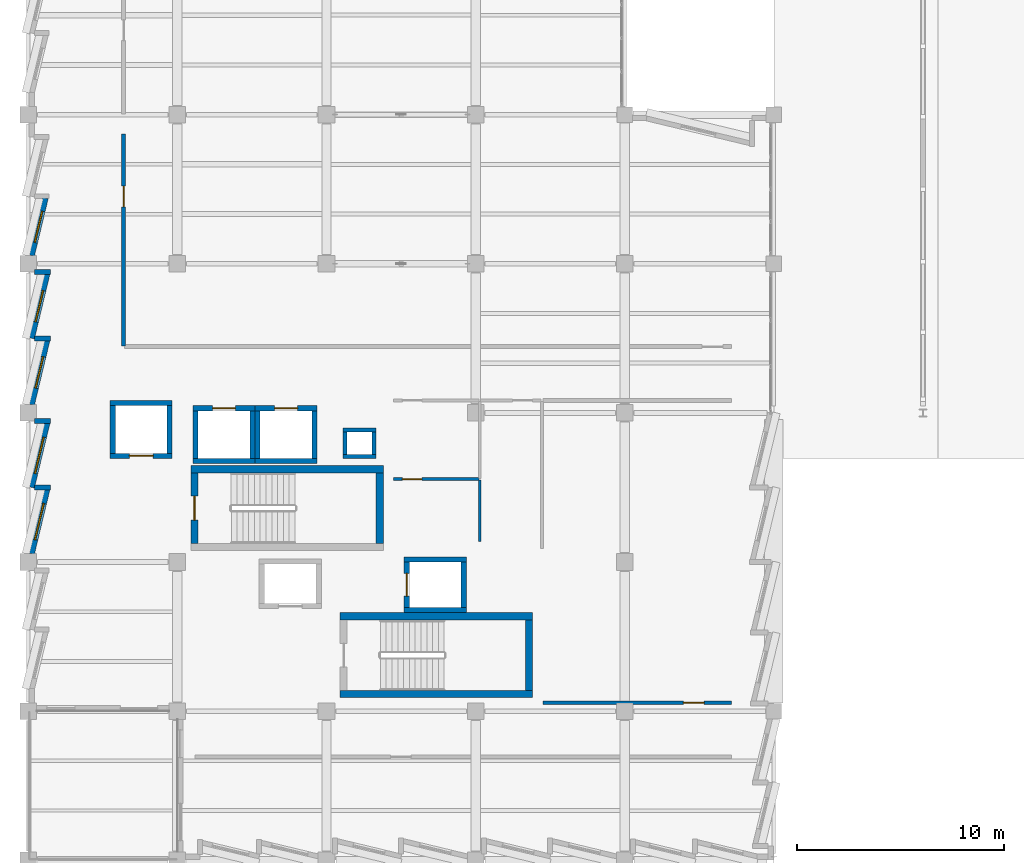
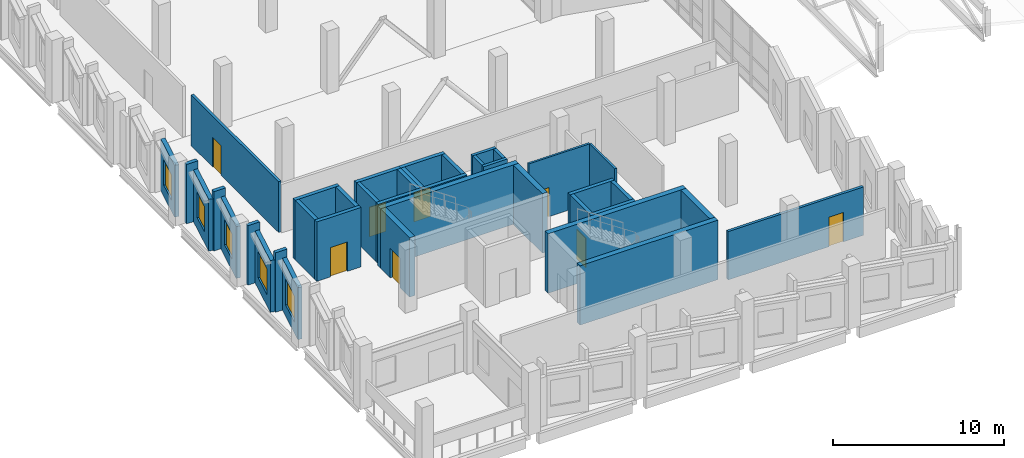
# One storey, part 89 of 123: 39 walls, 8 doors, 5 windows, 13 openings.
"""IFC4 building model written with IfcOpenShell, lengths in metres."""

from ifc_helpers import new_model, si_unit, direction, frame, frame_2d, origin, place, context, subcontext, project, spatial, rectangle, extrude, material, layer, layer_set, type_object, element, fill, save


model = new_model("IFC4")

# Units and contexts
model_context = context("Model", 3, precision=1e-05, world=origin(), true_north=direction((0.0, 1.0)))
body_context = subcontext(model_context, "Body", "Model", "MODEL_VIEW")
ifc_project = project(units=[si_unit("LENGTHUNIT", "METRE"), si_unit("AREAUNIT", "SQUARE_METRE"), si_unit("VOLUMEUNIT", "CUBIC_METRE"), si_unit("PLANEANGLEUNIT", "RADIAN"), si_unit("MASSUNIT", "GRAM", prefix="KILO")], contexts=[model_context])

# Site, building, storey
site_placement = place(None, origin())
site = spatial("IfcSite", under=ifc_project, at=site_placement, CompositionType="ELEMENT")
building_placement = place(site_placement, origin())
building = spatial("IfcBuilding", under=site, at=building_placement, Name="Kalmorath City Hall", CompositionType="ELEMENT")
storey_placement = place(building_placement, frame((0.0, 0.0, 10.199951171875)))
storey = spatial("IfcBuildingStorey", under=building, at=storey_placement, Name="L02", CompositionType="ELEMENT", Elevation=10.199951171875)

# Wall
ifc_material_1 = material(Name="Concrete C50/60", Category="concrete")
ifc_layer_1 = layer(ifc_material_1, 0.35009765625)
ifc_layer_set_1 = layer_set([ifc_layer_1], Name="Concrete C50/60")
wall_type_1 = type_object("IfcWallType", Name="Concrete core shear wall 350", PredefinedType="SHEAR", material=ifc_layer_set_1)
wall_1_placement = place(storey_placement, frame((17.14990234375, 18.875, 0.0), z_axis=(0.0, 0.0, 1.0), x_axis=(-1.0, 0.0, 0.0)))
element("IfcWall", 1, at=wall_1_placement, inside=storey, type_object=wall_type_1, Name="L02 C1 stair core shear wall N", PredefinedType="SHEAR", context=body_context, shape_type="SweptSolid", body=[
    extrude(rectangle(XDim=9.2998046875, YDim=0.35009765625, at=frame_2d((4.64990234375, 0.0))), origin(), (0.0, 0.0, 1.0), 4.239990234375),
])

# Wall, opening, door
wall_2_placement = place(storey_placement, frame((8.02490234375, 18.699951171875, 0.0), z_axis=(0.0, 0.0, 1.0), x_axis=(0.0, -1.0, 0.0)))
wall_2 = element("IfcWall", 2, at=wall_2_placement, inside=storey, type_object=wall_type_1, Name="L02 C1 stair core shear wall W", PredefinedType="SHEAR", context=body_context, shape_type="SweptSolid", body=[
    extrude(rectangle(XDim=3.39990234375, YDim=0.35009765625, at=frame_2d((1.699951171875, 0.0))), origin(), (0.0, 0.0, 1.0), 4.239990234375),
])
opening_1_placement = place(wall_2_placement, frame((1.125, 0.0, 0.0)))
opening_1 = element("IfcOpeningElement", 3, at=opening_1_placement, cuts=wall_2, Name="Opening D-L02-004", PredefinedType="OPENING", context=body_context, shape_type="SweptSolid", body=[
    extrude(rectangle(XDim=1.14990234375, YDim=2.10009765625, at=frame_2d((0.574951171875, 1.050048828125))), frame((0.0, 0.18505859375, 0.0), z_axis=(0.0, -1.0, 0.0), x_axis=(1.0, 0.0, 0.0)), (0.0, 0.0, 1.0), 0.3701171875),
])
ifc_material_2 = material(Name="Galvanised steel fire door", Category="steel")
door_type_1 = type_object("IfcDoorType", Name="Stair enclosure 90-min fire door 1150x2100", OperationType="NOTDEFINED", PredefinedType="DOOR", material=ifc_material_2)
door_1_placement = place(opening_1_placement, frame((1.14990234375, 0.0, 0.0), z_axis=(0.0, 0.0, 1.0), x_axis=(-1.0, 0.0, 0.0)))
door_1 = element("IfcDoor", 4, at=door_1_placement, inside=storey, type_object=door_type_1, Name="L02 door D-L02-004", OperationType="SINGLE_SWING_RIGHT", OverallHeight=2.10009765625, OverallWidth=1.14990234375, PredefinedType="DOOR", context=body_context, shape_type="SweptSolid", body=[
    extrude(rectangle(XDim=1.14990234375, YDim=2.10009765625, at=frame_2d((0.574951171875, 1.050048828125))), frame((0.0, 0.02490234375, 0.0), z_axis=(0.0, -1.0, 0.0), x_axis=(1.0, 0.0, 0.0)), (0.0, 0.0, 1.0), 0.050048828125),
])
fill(opening_1, door_1)

# Walls
wall_3_placement = place(storey_placement, frame((16.97509765625, 15.300048828125, 0.0), z_axis=(0.0, 0.0, 1.0), x_axis=(0.0, 1.0, 0.0)))
element("IfcWall", 5, at=wall_3_placement, inside=storey, type_object=wall_type_1, Name="L02 C1 stair core shear wall E", PredefinedType="SHEAR", context=body_context, shape_type="SweptSolid", body=[
    extrude(rectangle(XDim=3.39990234375, YDim=0.35009765625, at=frame_2d((1.699951171875, 0.0))), origin(), (0.0, 0.0, 1.0), 4.239990234375),
])
for number, where, z_axis, x_axis, name in (
    (6, (15.050048828125, 8.02490234375, 0.0), (0.0, 0.0, 1.0), (1.0, 0.0, 0.0), "L02 C2 stair core shear wall S"),
    (7, (24.35009765625, 11.77490234375, 0.0), (0.0, 0.0, 1.0), (-1.0, 0.0, 0.0), "L02 C2 stair core shear wall N"),
):
    element("IfcWall", number, at=place(storey_placement, frame(where, z_axis=z_axis, x_axis=x_axis)), inside=storey, type_object=wall_type_1, Name=name, PredefinedType="SHEAR", context=body_context, shape_type="SweptSolid", body=[
        extrude(rectangle(XDim=9.300048828125, YDim=0.35009765625, at=frame_2d((4.64990234375, 0.0))), origin(), (0.0, 0.0, 1.0), 4.239990234375),
    ])
wall_4_placement = place(storey_placement, frame((24.175048828125, 8.199951171875, 0.0), z_axis=(0.0, 0.0, 1.0), x_axis=(0.0, 1.0, 0.0)))
element("IfcWall", 8, at=wall_4_placement, inside=storey, type_object=wall_type_1, Name="L02 C2 stair core shear wall E", PredefinedType="SHEAR", context=body_context, shape_type="SweptSolid", body=[
    extrude(rectangle(XDim=3.400146484375, YDim=0.35009765625, at=frame_2d((1.7001953125, 0.0))), origin(), (0.0, 0.0, 1.0), 4.239990234375),
])

# Wall, opening, door
ifc_material_3 = material(Name="Concrete C50/60", Category="concrete")
ifc_layer_2 = layer(ifc_material_3, 0.25)
ifc_layer_set_2 = layer_set([ifc_layer_2], Name="Concrete C50/60")
wall_type_2 = type_object("IfcWallType", Name="Concrete lift shaft wall 250", PredefinedType="SHEAR", material=ifc_layer_set_2)
wall_5_placement = place(storey_placement, frame((3.949951171875, 19.52490234375, 0.0), z_axis=(0.0, 0.0, 1.0), x_axis=(1.0, 0.0, 0.0)))
wall_5 = element("IfcWall", 9, at=wall_5_placement, inside=storey, type_object=wall_type_2, Name="L02 FL1 lift shaft wall -y", PredefinedType="SHEAR", context=body_context, shape_type="SweptSolid", body=[
    extrude(rectangle(XDim=3.0, YDim=0.25, at=frame_2d((1.5, 0.0))), origin(), (0.0, 0.0, 1.0), 4.239990234375),
])
opening_2_placement = place(wall_5_placement, frame((0.925048828125, 0.0, 0.0)))
opening_2 = element("IfcOpeningElement", 10, at=opening_2_placement, cuts=wall_5, Name="Opening LD-013", PredefinedType="OPENING", context=body_context, shape_type="SweptSolid", body=[
    extrude(rectangle(XDim=1.14990234375, YDim=2.10009765625, at=frame_2d((0.574951171875, 1.050048828125))), frame((0.0, 0.135009765625, 0.0), z_axis=(0.0, -1.0, 0.0), x_axis=(1.0, 0.0, 0.0)), (0.0, 0.0, 1.0), 0.27001953125),
])
ifc_material_4 = material(Name="Stainless steel sliding landing door", Category="steel")
door_type_2 = type_object("IfcDoorType", Name="Firefighting lift sliding landing door 1150x2100", OperationType="SLIDING_TO_RIGHT", PredefinedType="DOOR", material=ifc_material_4)
door_2_placement = place(opening_2_placement, origin())
door_2 = element("IfcDoor", 11, at=door_2_placement, inside=storey, type_object=door_type_2, Name="L02 door LD-013", OperationType="SLIDING_TO_RIGHT", OverallHeight=2.10009765625, OverallWidth=1.14990234375, PredefinedType="DOOR", context=body_context, shape_type="SweptSolid", body=[
    extrude(rectangle(XDim=1.14990234375, YDim=2.10009765625, at=frame_2d((0.574951171875, 1.050048828125))), frame((0.0, 0.02490234375, 0.0), z_axis=(0.0, -1.0, 0.0), x_axis=(1.0, 0.0, 0.0)), (0.0, 0.0, 1.0), 0.050048828125),
])
fill(opening_2, door_2)

# Walls
wall_6_placement = place(storey_placement, frame((6.949951171875, 22.074951171875, 0.0), z_axis=(0.0, 0.0, 1.0), x_axis=(-1.0, 0.0, 0.0)))
element("IfcWall", 12, at=wall_6_placement, inside=storey, type_object=wall_type_2, Name="L02 FL1 lift shaft wall +y", PredefinedType="SHEAR", context=body_context, shape_type="SweptSolid", body=[
    extrude(rectangle(XDim=3.0, YDim=0.25, at=frame_2d((1.5, 0.0))), origin(), (0.0, 0.0, 1.0), 4.239990234375),
])
for number, where, z_axis, x_axis, name in (
    (13, (4.074951171875, 21.949951171875, 0.0), (0.0, 0.0, 1.0), (0.0, -1.0, 0.0), "L02 FL1 lift shaft wall -x"),
    (14, (6.824951171875, 19.64990234375, 0.0), (0.0, 0.0, 1.0), (0.0, 1.0, 0.0), "L02 FL1 lift shaft wall +x"),
):
    element("IfcWall", number, at=place(storey_placement, frame(where, z_axis=z_axis, x_axis=x_axis)), inside=storey, type_object=wall_type_2, Name=name, PredefinedType="SHEAR", context=body_context, shape_type="SweptSolid", body=[
        extrude(rectangle(XDim=2.300048828125, YDim=0.25, at=frame_2d((1.14990234375, 0.0))), origin(), (0.0, 0.0, 1.0), 4.239990234375),
    ])
wall_7_placement = place(storey_placement, frame((7.949951171875, 19.27490234375, 0.0), z_axis=(0.0, 0.0, 1.0), x_axis=(1.0, 0.0, 0.0)))
element("IfcWall", 15, at=wall_7_placement, inside=storey, type_object=wall_type_2, Name="L02 PL1 lift shaft wall -y", PredefinedType="SHEAR", context=body_context, shape_type="SweptSolid", body=[
    extrude(rectangle(XDim=3.0, YDim=0.25, at=frame_2d((1.5, 0.0))), origin(), (0.0, 0.0, 1.0), 4.239990234375),
])

# Wall, opening, door
wall_8_placement = place(storey_placement, frame((10.949951171875, 21.824951171875, 0.0), z_axis=(0.0, 0.0, 1.0), x_axis=(-1.0, 0.0, 0.0)))
wall_8 = element("IfcWall", 16, at=wall_8_placement, inside=storey, type_object=wall_type_2, Name="L02 PL1 lift shaft wall +y", PredefinedType="SHEAR", context=body_context, shape_type="SweptSolid", body=[
    extrude(rectangle(XDim=3.0, YDim=0.25, at=frame_2d((1.5, 0.0))), origin(), (0.0, 0.0, 1.0), 4.239990234375),
])
opening_3_placement = place(wall_8_placement, frame((0.949951171875, 0.0, 0.0)))
opening_3 = element("IfcOpeningElement", 17, at=opening_3_placement, cuts=wall_8, Name="Opening LD-022", PredefinedType="OPENING", context=body_context, shape_type="SweptSolid", body=[
    extrude(rectangle(XDim=1.10009765625, YDim=2.10009765625, at=frame_2d((0.550048828125, 1.050048828125))), frame((0.0, 0.135009765625, 0.0), z_axis=(0.0, -1.0, 0.0), x_axis=(1.0, 0.0, 0.0)), (0.0, 0.0, 1.0), 0.27001953125),
])
ifc_material_5 = material(Name="Stainless steel sliding landing door", Category="steel")
door_type_3 = type_object("IfcDoorType", Name="Passenger lift sliding landing door 1100x2100", OperationType="SLIDING_TO_LEFT", PredefinedType="DOOR", material=ifc_material_5)
door_3_placement = place(opening_3_placement, origin())
door_3 = element("IfcDoor", 18, at=door_3_placement, inside=storey, type_object=door_type_3, Name="L02 door LD-022", OperationType="SLIDING_TO_LEFT", OverallHeight=2.10009765625, OverallWidth=1.10009765625, PredefinedType="DOOR", context=body_context, shape_type="SweptSolid", body=[
    extrude(rectangle(XDim=1.10009765625, YDim=2.10009765625, at=frame_2d((0.550048828125, 1.050048828125))), frame((0.0, 0.02490234375, 0.0), z_axis=(0.0, -1.0, 0.0), x_axis=(1.0, 0.0, 0.0)), (0.0, 0.0, 1.0), 0.050048828125),
])
fill(opening_3, door_3)

# Walls
for number, where, z_axis, x_axis, name in (
    (19, (8.074951171875, 21.699951171875, 0.0), (0.0, 0.0, 1.0), (0.0, -1.0, 0.0), "L02 PL1 lift shaft wall -x"),
    (20, (10.824951171875, 19.39990234375, 0.0), (0.0, 0.0, 1.0), (0.0, 1.0, 0.0), "L02 PL1 lift shaft wall +x"),
):
    element("IfcWall", number, at=place(storey_placement, frame(where, z_axis=z_axis, x_axis=x_axis)), inside=storey, type_object=wall_type_2, Name=name, PredefinedType="SHEAR", context=body_context, shape_type="SweptSolid", body=[
        extrude(rectangle(XDim=2.300048828125, YDim=0.25, at=frame_2d((1.14990234375, 0.0))), origin(), (0.0, 0.0, 1.0), 4.239990234375),
    ])
wall_9_placement = place(storey_placement, frame((10.949951171875, 19.27490234375, 0.0), z_axis=(0.0, 0.0, 1.0), x_axis=(1.0, 0.0, 0.0)))
element("IfcWall", 21, at=wall_9_placement, inside=storey, type_object=wall_type_2, Name="L02 PL2 lift shaft wall -y", PredefinedType="SHEAR", context=body_context, shape_type="SweptSolid", body=[
    extrude(rectangle(XDim=3.0, YDim=0.25, at=frame_2d((1.5, 0.0))), origin(), (0.0, 0.0, 1.0), 4.239990234375),
])

# Wall, opening, door
wall_10_placement = place(storey_placement, frame((13.949951171875, 21.824951171875, 0.0), z_axis=(0.0, 0.0, 1.0), x_axis=(-1.0, 0.0, 0.0)))
wall_10 = element("IfcWall", 22, at=wall_10_placement, inside=storey, type_object=wall_type_2, Name="L02 PL2 lift shaft wall +y", PredefinedType="SHEAR", context=body_context, shape_type="SweptSolid", body=[
    extrude(rectangle(XDim=3.0, YDim=0.25, at=frame_2d((1.5, 0.0))), origin(), (0.0, 0.0, 1.0), 4.239990234375),
])
opening_4_placement = place(wall_10_placement, frame((0.949951171875, 0.0, 0.0)))
opening_4 = element("IfcOpeningElement", 23, at=opening_4_placement, cuts=wall_10, Name="Opening LD-031", PredefinedType="OPENING", context=body_context, shape_type="SweptSolid", body=[
    extrude(rectangle(XDim=1.10009765625, YDim=2.10009765625, at=frame_2d((0.550048828125, 1.050048828125))), frame((0.0, 0.135009765625, 0.0), z_axis=(0.0, -1.0, 0.0), x_axis=(1.0, 0.0, 0.0)), (0.0, 0.0, 1.0), 0.27001953125),
])
door_4_placement = place(opening_4_placement, origin())
door_4 = element("IfcDoor", 24, at=door_4_placement, inside=storey, type_object=door_type_3, Name="L02 door LD-031", OperationType="SLIDING_TO_LEFT", OverallHeight=2.10009765625, OverallWidth=1.10009765625, PredefinedType="DOOR", context=body_context, shape_type="SweptSolid", body=[
    extrude(rectangle(XDim=1.10009765625, YDim=2.10009765625, at=frame_2d((0.550048828125, 1.050048828125))), frame((0.0, 0.02490234375, 0.0), z_axis=(0.0, -1.0, 0.0), x_axis=(1.0, 0.0, 0.0)), (0.0, 0.0, 1.0), 0.050048828125),
])
fill(opening_4, door_4)

# Walls
for number, where, z_axis, x_axis, name in (
    (25, (11.074951171875, 21.699951171875, 0.0), (0.0, 0.0, 1.0), (0.0, -1.0, 0.0), "L02 PL2 lift shaft wall -x"),
    (26, (13.824951171875, 19.39990234375, 0.0), (0.0, 0.0, 1.0), (0.0, 1.0, 0.0), "L02 PL2 lift shaft wall +x"),
):
    element("IfcWall", number, at=place(storey_placement, frame(where, z_axis=z_axis, x_axis=x_axis)), inside=storey, type_object=wall_type_2, Name=name, PredefinedType="SHEAR", context=body_context, shape_type="SweptSolid", body=[
        extrude(rectangle(XDim=2.300048828125, YDim=0.25, at=frame_2d((1.14990234375, 0.0))), origin(), (0.0, 0.0, 1.0), 4.239990234375),
    ])
for number, where, z_axis, x_axis, name in (
    (27, (18.14990234375, 12.074951171875, 0.0), (0.0, 0.0, 1.0), (1.0, 0.0, 0.0), "L02 PL3 lift shaft wall -y"),
    (28, (21.14990234375, 14.52490234375, 0.0), (0.0, 0.0, 1.0), (-1.0, 0.0, 0.0), "L02 PL3 lift shaft wall +y"),
):
    element("IfcWall", number, at=place(storey_placement, frame(where, z_axis=z_axis, x_axis=x_axis)), inside=storey, type_object=wall_type_2, Name=name, PredefinedType="SHEAR", context=body_context, shape_type="SweptSolid", body=[
        extrude(rectangle(XDim=3.0, YDim=0.25, at=frame_2d((1.5, 0.0))), origin(), (0.0, 0.0, 1.0), 4.239990234375),
    ])

# Wall, opening, door
wall_11_placement = place(storey_placement, frame((18.27490234375, 14.39990234375, 0.0), z_axis=(0.0, 0.0, 1.0), x_axis=(0.0, -1.0, 0.0)))
wall_11 = element("IfcWall", 29, at=wall_11_placement, inside=storey, type_object=wall_type_2, Name="L02 PL3 lift shaft wall -x", PredefinedType="SHEAR", context=body_context, shape_type="SweptSolid", body=[
    extrude(rectangle(XDim=2.199951171875, YDim=0.25, at=frame_2d((1.10009765625, 0.0))), origin(), (0.0, 0.0, 1.0), 4.239990234375),
])
opening_5_placement = place(wall_11_placement, frame((0.550048828125, 0.0, 0.0)))
opening_5 = element("IfcOpeningElement", 30, at=opening_5_placement, cuts=wall_11, Name="Opening LD-058", PredefinedType="OPENING", context=body_context, shape_type="SweptSolid", body=[
    extrude(rectangle(XDim=1.10009765625, YDim=2.10009765625, at=frame_2d((0.550048828125, 1.050048828125))), frame((0.0, 0.135009765625, 0.0), z_axis=(0.0, -1.0, 0.0), x_axis=(1.0, 0.0, 0.0)), (0.0, 0.0, 1.0), 0.27001953125),
])
door_5_placement = place(opening_5_placement, origin())
door_5 = element("IfcDoor", 31, at=door_5_placement, inside=storey, type_object=door_type_3, Name="L02 door LD-058", OperationType="SLIDING_TO_LEFT", OverallHeight=2.10009765625, OverallWidth=1.10009765625, PredefinedType="DOOR", context=body_context, shape_type="SweptSolid", body=[
    extrude(rectangle(XDim=1.10009765625, YDim=2.10009765625, at=frame_2d((0.550048828125, 1.050048828125))), frame((0.0, 0.02490234375, 0.0), z_axis=(0.0, -1.0, 0.0), x_axis=(1.0, 0.0, 0.0)), (0.0, 0.0, 1.0), 0.050048828125),
])
fill(opening_5, door_5)

# Walls
wall_12_placement = place(storey_placement, frame((21.02490234375, 12.199951171875, 0.0), z_axis=(0.0, 0.0, 1.0), x_axis=(0.0, 1.0, 0.0)))
element("IfcWall", 32, at=wall_12_placement, inside=storey, type_object=wall_type_2, Name="L02 PL3 lift shaft wall +x", PredefinedType="SHEAR", context=body_context, shape_type="SweptSolid", body=[
    extrude(rectangle(XDim=2.199951171875, YDim=0.25, at=frame_2d((1.10009765625, 0.0))), origin(), (0.0, 0.0, 1.0), 4.239990234375),
])
ifc_material_6 = material(Name="Concrete C40/50", Category="concrete")
ifc_layer_3 = layer(ifc_material_6, 0.199951171875)
ifc_layer_set_3 = layer_set([ifc_layer_3], Name="Concrete C40/50")
wall_type_3 = type_object("IfcWallType", Name="Concrete service riser wall 200", PredefinedType="SOLIDWALL", material=ifc_layer_set_3)
for number, where, z_axis, x_axis, name in (
    (33, (15.199951171875, 19.5, 0.0), (0.0, 0.0, 1.0), (1.0, 0.0, 0.0), "L02 RSR-1 riser shaft wall S"),
    (34, (16.800048828125, 20.780029296875, 0.0), (0.0, 0.0, 1.0), (-1.0, 0.0, 0.0), "L02 RSR-1 riser shaft wall N"),
):
    element("IfcWall", number, at=place(storey_placement, frame(where, z_axis=z_axis, x_axis=x_axis)), inside=storey, type_object=wall_type_3, Name=name, PredefinedType="SOLIDWALL", context=body_context, shape_type="SweptSolid", body=[
        extrude(rectangle(XDim=1.60009765625, YDim=0.199951171875, at=frame_2d((0.800048828125, 0.0))), origin(), (0.0, 0.0, 1.0), 4.239990234375),
    ])
for number, where, z_axis, x_axis, name in (
    (35, (15.300048828125, 20.679931640625, 0.0), (0.0, 0.0, 1.0), (0.0, -1.0, 0.0), "L02 RSR-1 riser shaft wall W"),
    (36, (16.699951171875, 19.60009765625, 0.0), (0.0, 0.0, 1.0), (0.0, 1.0, 0.0), "L02 RSR-1 riser shaft wall E"),
):
    element("IfcWall", number, at=place(storey_placement, frame(where, z_axis=z_axis, x_axis=x_axis)), inside=storey, type_object=wall_type_3, Name=name, PredefinedType="SOLIDWALL", context=body_context, shape_type="SweptSolid", body=[
        extrude(rectangle(XDim=1.079833984375, YDim=0.199951171875, at=frame_2d((0.5400390625, 0.0))), origin(), (0.0, 0.0, 1.0), 4.239990234375),
    ])

# Wall, opening, door
ifc_material_7 = material(Name="Fire-rated acoustic gypsum partition")
ifc_layer_4 = layer(ifc_material_7, 0.179931640625)
ifc_layer_set_4 = layer_set([ifc_layer_4], Name="Fire-rated acoustic gypsum partition")
wall_type_4 = type_object("IfcWallType", Name="One-hour corridor fire partition 180", PredefinedType="PARTITIONING", material=ifc_layer_set_4)
wall_13_placement = place(storey_placement, frame((4.60009765625, 24.840087890625, 0.0), z_axis=(0.0, 0.0, 1.0), x_axis=(0.0, 1.0, 0.0)))
wall_13 = element("IfcWall", 37, at=wall_13_placement, inside=storey, type_object=wall_type_4, Name="L02 interior partition PW2 #106", PredefinedType="PARTITIONING", context=body_context, shape_type="SweptSolid", body=[
    extrude(rectangle(XDim=10.219970703125, YDim=0.179931640625, at=frame_2d((5.10986328125, 0.0))), origin(), (0.0, 0.0, 1.0), 3.6181640625),
])
opening_6_placement = place(wall_13_placement, frame((6.705078125, 0.0, 0.0)))
opening_6 = element("IfcOpeningElement", 38, at=opening_6_placement, cuts=wall_13, Name="Opening D-L02-208", PredefinedType="OPENING", context=body_context, shape_type="SweptSolid", body=[
    extrude(rectangle(XDim=1.0, YDim=2.10009765625, at=frame_2d((0.5, 1.050048828125))), frame((0.0, 0.099853515625, 0.0), z_axis=(0.0, -1.0, 0.0), x_axis=(1.0, 0.0, 0.0)), (0.0, 0.0, 1.0), 0.199951171875),
])
ifc_material_8 = material(Name="Hardwood fire door", Category="wood")
door_type_4 = type_object("IfcDoorType", Name="Corridor 60-min fire door 1000x2100", OperationType="NOTDEFINED", PredefinedType="DOOR", material=ifc_material_8)
door_6_placement = place(opening_6_placement, origin())
door_6 = element("IfcDoor", 39, at=door_6_placement, inside=storey, type_object=door_type_4, Name="L02 door D-L02-208", OperationType="SINGLE_SWING_RIGHT", OverallHeight=2.10009765625, OverallWidth=1.0, PredefinedType="DOOR", context=body_context, shape_type="SweptSolid", body=[
    extrude(rectangle(XDim=1.0, YDim=2.10009765625, at=frame_2d((0.5, 1.050048828125))), frame((0.0, 0.02490234375, 0.0), z_axis=(0.0, -1.0, 0.0), x_axis=(1.0, 0.0, 0.0)), (0.0, 0.0, 1.0), 0.050048828125),
])
fill(opening_6, door_6)

wall_14_placement = place(storey_placement, frame((24.840087890625, 7.60009765625, 0.0), z_axis=(0.0, 0.0, 1.0), x_axis=(1.0, 0.0, 0.0)))
wall_14 = element("IfcWall", 40, at=wall_14_placement, inside=storey, type_object=wall_type_4, Name="L02 interior partition PW2 #114", PredefinedType="PARTITIONING", context=body_context, shape_type="SweptSolid", body=[
    extrude(rectangle(XDim=9.119873046875, YDim=0.179931640625, at=frame_2d((4.56005859375, 0.0))), origin(), (0.0, 0.0, 1.0), 3.450927734375),
])
opening_7_placement = place(wall_14_placement, frame((6.7900390625, 0.0, 0.0)))
opening_7 = element("IfcOpeningElement", 41, at=opening_7_placement, cuts=wall_14, Name="Opening D-L02-206", PredefinedType="OPENING", context=body_context, shape_type="SweptSolid", body=[
    extrude(rectangle(XDim=1.0, YDim=2.10009765625, at=frame_2d((0.5, 1.050048828125))), frame((0.0, 0.099853515625, 0.0), z_axis=(0.0, -1.0, 0.0), x_axis=(1.0, 0.0, 0.0)), (0.0, 0.0, 1.0), 0.199951171875),
])
door_7_placement = place(opening_7_placement, origin())
door_7 = element("IfcDoor", 42, at=door_7_placement, inside=storey, type_object=door_type_4, Name="L02 door D-L02-206", OperationType="SINGLE_SWING_RIGHT", OverallHeight=2.10009765625, OverallWidth=1.0, PredefinedType="DOOR", context=body_context, shape_type="SweptSolid", body=[
    extrude(rectangle(XDim=1.0, YDim=2.10009765625, at=frame_2d((0.5, 1.050048828125))), frame((0.0, 0.02490234375, 0.0), z_axis=(0.0, -1.0, 0.0), x_axis=(1.0, 0.0, 0.0)), (0.0, 0.0, 1.0), 0.050048828125),
])
fill(opening_7, door_7)

# Walls
ifc_material_9 = material(Name="Precast concrete C40/50", Category="concrete")
ifc_layer_5 = layer(ifc_material_9, 0.239990234375)
ifc_layer_set_5 = layer_set([ifc_layer_5], Name="Precast concrete C40/50")
wall_type_5 = type_object("IfcWallType", Name="Precast sawtooth cheek wall 240", PredefinedType="SOLIDWALL", material=ifc_layer_set_5)
for number, where, z_axis, x_axis, name in (
    (43, (1.072998046875, 18.0, 0.0), (0.0, 0.0, 1.0), (-1.0, 0.0, 0.0), "L02 sawtooth return cheek #356"),
    (44, (1.072998046875, 21.198974609375, 0.0), (0.0, 0.0, 1.0), (-1.0, 0.0, 0.0), "L02 sawtooth return cheek #358"),
    (45, (1.072998046875, 25.199951171875, 0.0), (0.0, 0.0, 1.0), (-1.0, 0.0, 0.0), "L02 sawtooth return cheek #360"),
    (46, (1.072998046875, 28.39892578125, 0.0), (0.0, 0.0, 1.0), (-1.0, 0.0, 0.0), "L02 sawtooth return cheek #362"),
):
    element("IfcWall", number, at=place(storey_placement, frame(where, z_axis=z_axis, x_axis=x_axis)), inside=storey, type_object=wall_type_5, Name=name, PredefinedType="SOLIDWALL", context=body_context, shape_type="SweptSolid", body=[
        extrude(rectangle(XDim=0.781005859375, YDim=0.239990234375, at=frame_2d((0.390625, 0.0))), origin(), (0.0, 0.0, 1.0), 4.239990234375),
    ])

# Wall, opening, window
ifc_material_10 = material(Name="Precast concrete C40/50", Category="concrete")
ifc_layer_6 = layer(ifc_material_10, 0.280029296875)
ifc_layer_set_6 = layer_set([ifc_layer_6], Name="Precast concrete C40/50")
wall_type_6 = type_object("IfcWallType", Name="Precast sawtooth facade wall 280", PredefinedType="SOLIDWALL", material=ifc_layer_set_6)
wall_15_placement = place(storey_placement, frame((0.159912109375, 14.801025390625, 0.0), z_axis=(0.0, 0.0, 1.0), x_axis=(0.233445204235, 0.972369958719, 0.0)))
wall_15 = element("IfcWall", 47, at=wall_15_placement, inside=storey, type_object=wall_type_6, Name="L02 sawtooth precast frame #355", PredefinedType="SOLIDWALL", context=body_context, shape_type="SweptSolid", body=[
    extrude(rectangle(XDim=3.195068359375, YDim=0.280029296875, at=frame_2d((1.59765625, 0.0))), origin(), (0.0, 0.0, 1.0), 3.696044921875),
])
opening_8_placement = place(wall_15_placement, frame((0.697509765625, 0.0, 0.800048828125)))
opening_8 = element("IfcOpeningElement", 48, at=opening_8_placement, cuts=wall_15, Name="Opening WN4", PredefinedType="OPENING", context=body_context, shape_type="SweptSolid", body=[
    extrude(rectangle(XDim=1.800048828125, YDim=1.85009765625, at=frame_2d((0.89990234375, 0.925048828125))), frame((0.0, 0.14990234375, 0.0), z_axis=(0.0, -1.0, 0.0), x_axis=(1.0, 0.0, 0.0)), (0.0, 0.0, 1.0), 0.300048828125),
])
ifc_material_11 = material(Name="Aluminium and laminated glass", Category="aluminium")
window_type_1 = type_object("IfcWindowType", Name="Sawtooth executive window 1800x1850", PartitioningType="SINGLE_PANEL", PredefinedType="WINDOW", material=ifc_material_11)
window_1_placement = place(opening_8_placement, origin())
window_1 = element("IfcWindow", 49, at=window_1_placement, inside=storey, type_object=window_type_1, Name="L02 window WN4-171", OverallHeight=1.85009765625, OverallWidth=1.800048828125, PartitioningType="SINGLE_PANEL", PredefinedType="WINDOW", context=body_context, shape_type="SweptSolid", body=[
    extrude(rectangle(XDim=1.800048828125, YDim=1.85009765625, at=frame_2d((0.89990234375, 0.925048828125))), frame((0.0, 0.030029296875, 0.0), z_axis=(0.0, -1.0, 0.0), x_axis=(1.0, 0.0, 0.0)), (0.0, 0.0, 1.0), 0.06005859375),
])
fill(opening_8, window_1)

wall_16_placement = place(storey_placement, frame((0.159912109375, 18.0, 0.0), z_axis=(0.0, 0.0, 1.0), x_axis=(0.233445204235, 0.972369958719, 0.0)))
wall_16 = element("IfcWall", 50, at=wall_16_placement, inside=storey, type_object=wall_type_6, Name="L02 sawtooth precast frame #357", PredefinedType="SOLIDWALL", context=body_context, shape_type="SweptSolid", body=[
    extrude(rectangle(XDim=3.195068359375, YDim=0.280029296875, at=frame_2d((1.59765625, 0.0))), origin(), (0.0, 0.0, 1.0), 3.696044921875),
])
opening_9_placement = place(wall_16_placement, frame((0.697509765625, 0.0, 0.800048828125)))
opening_9 = element("IfcOpeningElement", 51, at=opening_9_placement, cuts=wall_16, Name="Opening WN4", PredefinedType="OPENING", context=body_context, shape_type="SweptSolid", body=[
    extrude(rectangle(XDim=1.800048828125, YDim=1.85009765625, at=frame_2d((0.89990234375, 0.925048828125))), frame((0.0, 0.14990234375, 0.0), z_axis=(0.0, -1.0, 0.0), x_axis=(1.0, 0.0, 0.0)), (0.0, 0.0, 1.0), 0.300048828125),
])
window_2_placement = place(opening_9_placement, origin())
window_2 = element("IfcWindow", 52, at=window_2_placement, inside=storey, type_object=window_type_1, Name="L02 window WN4-172", OverallHeight=1.85009765625, OverallWidth=1.800048828125, PartitioningType="SINGLE_PANEL", PredefinedType="WINDOW", context=body_context, shape_type="SweptSolid", body=[
    extrude(rectangle(XDim=1.800048828125, YDim=1.85009765625, at=frame_2d((0.89990234375, 0.925048828125))), frame((0.0, 0.030029296875, 0.0), z_axis=(0.0, -1.0, 0.0), x_axis=(1.0, 0.0, 0.0)), (0.0, 0.0, 1.0), 0.06005859375),
])
fill(opening_9, window_2)

wall_17_placement = place(storey_placement, frame((0.159912109375, 22.0009765625, 0.0), z_axis=(0.0, 0.0, 1.0), x_axis=(0.233445204235, 0.972369958719, 0.0)))
wall_17 = element("IfcWall", 53, at=wall_17_placement, inside=storey, type_object=wall_type_6, Name="L02 sawtooth precast frame #359", PredefinedType="SOLIDWALL", context=body_context, shape_type="SweptSolid", body=[
    extrude(rectangle(XDim=3.195068359375, YDim=0.280029296875, at=frame_2d((1.59765625, 0.0))), origin(), (0.0, 0.0, 1.0), 3.696044921875),
])
opening_10_placement = place(wall_17_placement, frame((0.822509765625, 0.0, 0.800048828125)))
opening_10 = element("IfcOpeningElement", 54, at=opening_10_placement, cuts=wall_17, Name="Opening WN5", PredefinedType="OPENING", context=body_context, shape_type="SweptSolid", body=[
    extrude(rectangle(XDim=1.550048828125, YDim=1.800048828125, at=frame_2d((0.77490234375, 0.89990234375))), frame((0.0, 0.14990234375, 0.0), z_axis=(0.0, -1.0, 0.0), x_axis=(1.0, 0.0, 0.0)), (0.0, 0.0, 1.0), 0.300048828125),
])
ifc_material_12 = material(Name="Aluminium and laminated glass", Category="aluminium")
window_type_2 = type_object("IfcWindowType", Name="Sawtooth corner bay window 1550x1800", PartitioningType="SINGLE_PANEL", PredefinedType="WINDOW", material=ifc_material_12)
window_3_placement = place(opening_10_placement, origin())
window_3 = element("IfcWindow", 55, at=window_3_placement, inside=storey, type_object=window_type_2, Name="L02 window WN5-173", OverallHeight=1.800048828125, OverallWidth=1.550048828125, PartitioningType="SINGLE_PANEL", PredefinedType="WINDOW", context=body_context, shape_type="SweptSolid", body=[
    extrude(rectangle(XDim=1.550048828125, YDim=1.800048828125, at=frame_2d((0.77490234375, 0.89990234375))), frame((0.0, 0.030029296875, 0.0), z_axis=(0.0, -1.0, 0.0), x_axis=(1.0, 0.0, 0.0)), (0.0, 0.0, 1.0), 0.06005859375),
])
fill(opening_10, window_3)

wall_18_placement = place(storey_placement, frame((0.159912109375, 25.199951171875, 0.0), z_axis=(0.0, 0.0, 1.0), x_axis=(0.233445204235, 0.972369958719, 0.0)))
wall_18 = element("IfcWall", 56, at=wall_18_placement, inside=storey, type_object=wall_type_6, Name="L02 sawtooth precast frame #361", PredefinedType="SOLIDWALL", context=body_context, shape_type="SweptSolid", body=[
    extrude(rectangle(XDim=3.195068359375, YDim=0.280029296875, at=frame_2d((1.59765625, 0.0))), origin(), (0.0, 0.0, 1.0), 3.696044921875),
])
opening_11_placement = place(wall_18_placement, frame((0.822509765625, 0.0, 0.800048828125)))
opening_11 = element("IfcOpeningElement", 57, at=opening_11_placement, cuts=wall_18, Name="Opening WN5", PredefinedType="OPENING", context=body_context, shape_type="SweptSolid", body=[
    extrude(rectangle(XDim=1.550048828125, YDim=1.800048828125, at=frame_2d((0.77490234375, 0.89990234375))), frame((0.0, 0.14990234375, 0.0), z_axis=(0.0, -1.0, 0.0), x_axis=(1.0, 0.0, 0.0)), (0.0, 0.0, 1.0), 0.300048828125),
])
window_4_placement = place(opening_11_placement, origin())
window_4 = element("IfcWindow", 58, at=window_4_placement, inside=storey, type_object=window_type_2, Name="L02 window WN5-174", OverallHeight=1.800048828125, OverallWidth=1.550048828125, PartitioningType="SINGLE_PANEL", PredefinedType="WINDOW", context=body_context, shape_type="SweptSolid", body=[
    extrude(rectangle(XDim=1.550048828125, YDim=1.800048828125, at=frame_2d((0.77490234375, 0.89990234375))), frame((0.0, 0.030029296875, 0.0), z_axis=(0.0, -1.0, 0.0), x_axis=(1.0, 0.0, 0.0)), (0.0, 0.0, 1.0), 0.06005859375),
])
fill(opening_11, window_4)

wall_19_placement = place(storey_placement, frame((0.159912109375, 29.200927734375, 0.0), z_axis=(0.0, 0.0, 1.0), x_axis=(0.233480047176, 0.972361593015, 0.0)))
wall_19 = element("IfcWall", 59, at=wall_19_placement, inside=storey, type_object=wall_type_6, Name="L02 sawtooth precast frame #364", PredefinedType="SOLIDWALL", context=body_context, shape_type="SweptSolid", body=[
    extrude(rectangle(XDim=2.84521484375, YDim=0.280029296875, at=frame_2d((1.422607421875, 0.0))), origin(), (0.0, 0.0, 1.0), 3.696044921875),
])
opening_12_placement = place(wall_19_placement, frame((0.647705078125, 0.0, 0.800048828125)))
opening_12 = element("IfcOpeningElement", 60, at=opening_12_placement, cuts=wall_19, Name="Opening WN5", PredefinedType="OPENING", context=body_context, shape_type="SweptSolid", body=[
    extrude(rectangle(XDim=1.550048828125, YDim=1.800048828125, at=frame_2d((0.77490234375, 0.89990234375))), frame((0.0, 0.14990234375, 0.0), z_axis=(0.0, -1.0, 0.0), x_axis=(1.0, 0.0, 0.0)), (0.0, 0.0, 1.0), 0.300048828125),
])
window_5_placement = place(opening_12_placement, origin())
window_5 = element("IfcWindow", 61, at=window_5_placement, inside=storey, type_object=window_type_2, Name="L02 window WN5-175", OverallHeight=1.800048828125, OverallWidth=1.550048828125, PartitioningType="SINGLE_PANEL", PredefinedType="WINDOW", context=body_context, shape_type="SweptSolid", body=[
    extrude(rectangle(XDim=1.550048828125, YDim=1.800048828125, at=frame_2d((0.77490234375, 0.89990234375))), frame((0.0, 0.030029296875, 0.0), z_axis=(0.0, -1.0, 0.0), x_axis=(1.0, 0.0, 0.0)), (0.0, 0.0, 1.0), 0.06005859375),
])
fill(opening_12, window_5)

# Wall, opening, door
ifc_material_13 = material(Name="Moisture-resistant fire-rated partition")
ifc_layer_7 = layer(ifc_material_13, 0.139892578125)
ifc_layer_set_7 = layer_set([ifc_layer_7], Name="Moisture-resistant fire-rated partition")
wall_type_7 = type_object("IfcWallType", Name="Restroom wet-wall tile partition 140", PredefinedType="PARTITIONING", material=ifc_layer_set_7)
wall_20_placement = place(storey_placement, frame((17.639892578125, 18.39990234375, 0.0), z_axis=(0.0, 0.0, 1.0), x_axis=(1.0, 0.0, 0.0)))
wall_20 = element("IfcWall", 62, at=wall_20_placement, inside=storey, type_object=wall_type_7, Name="L02 interior partition PW5 #126", PredefinedType="PARTITIONING", context=body_context, shape_type="SweptSolid", body=[
    extrude(rectangle(XDim=4.1201171875, YDim=0.139892578125, at=frame_2d((2.06005859375, 0.0))), origin(), (0.0, 0.0, 1.0), 4.239990234375),
])
opening_13_placement = place(wall_20_placement, frame((0.419921875, 0.0, 0.0)))
opening_13 = element("IfcOpeningElement", 63, at=opening_13_placement, cuts=wall_20, Name="Opening D-L02-216", PredefinedType="OPENING", context=body_context, shape_type="SweptSolid", body=[
    extrude(rectangle(XDim=0.949951171875, YDim=2.080078125, at=frame_2d((0.47509765625, 1.0400390625))), frame((0.0, 0.079833984375, 0.0), z_axis=(0.0, -1.0, 0.0), x_axis=(1.0, 0.0, 0.0)), (0.0, 0.0, 1.0), 0.159912109375),
])
ifc_material_14 = material(Name="Laminate solid-core door")
door_type_5 = type_object("IfcDoorType", Name="Restroom accessible door 950x2080", OperationType="NOTDEFINED", PredefinedType="DOOR", material=ifc_material_14)
door_8_placement = place(opening_13_placement, origin())
door_8 = element("IfcDoor", 64, at=door_8_placement, inside=storey, type_object=door_type_5, Name="L02 door D-L02-216", OperationType="SINGLE_SWING_RIGHT", OverallHeight=2.080078125, OverallWidth=0.949951171875, PredefinedType="DOOR", context=body_context, shape_type="SweptSolid", body=[
    extrude(rectangle(XDim=0.949951171875, YDim=2.080078125, at=frame_2d((0.47509765625, 1.0400390625))), frame((0.0, 0.02490234375, 0.0), z_axis=(0.0, -1.0, 0.0), x_axis=(1.0, 0.0, 0.0)), (0.0, 0.0, 1.0), 0.050048828125),
])
fill(opening_13, door_8)

# Wall
wall_21_placement = place(storey_placement, frame((21.800048828125, 15.389892578125, 0.0), z_axis=(0.0, 0.0, 1.0), x_axis=(0.0, 1.0, 0.0)))
element("IfcWall", 65, at=wall_21_placement, inside=storey, type_object=wall_type_7, Name="L02 interior partition PW5 #127", PredefinedType="PARTITIONING", context=body_context, shape_type="SweptSolid", body=[
    extrude(rectangle(XDim=2.97021484375, YDim=0.139892578125, at=frame_2d((1.485107421875, 0.0))), origin(), (0.0, 0.0, 1.0), 4.239990234375),
])

save(model, "model.ifc")
